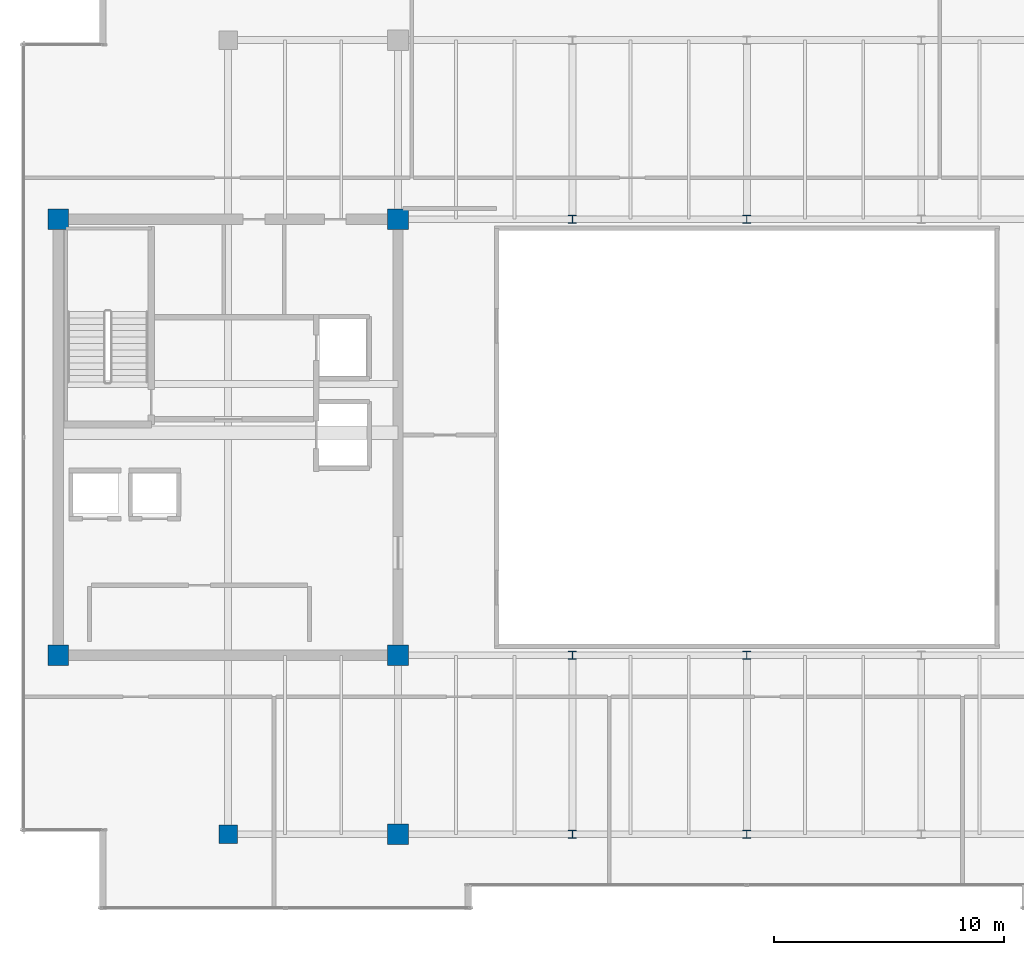
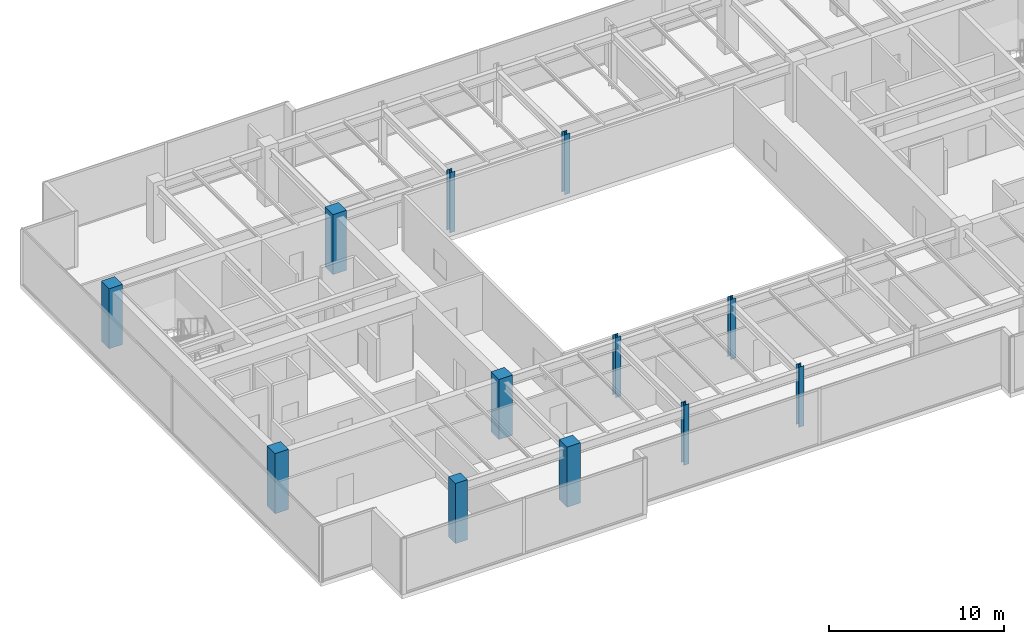
# One storey, part 1 of 31: 12 columns.
"""IFC4 building model written with IfcOpenShell, lengths in metres."""

from ifc_helpers import new_model, si_unit, direction, frame, origin, origin_2d, place, context, subcontext, project, spatial, rectangle, i_section, extrude, source, transform, mapped, material, material_profile, profile_set, type_object, type_shapes, element, save


model = new_model("IFC4")

# Units and contexts
model_context = context("Model", 3, precision=1e-05, world=origin(), true_north=direction((0.0, 1.0)))
body_context = subcontext(model_context, "Body", "Model", "MODEL_VIEW")
ifc_project = project(units=[si_unit("LENGTHUNIT", "METRE"), si_unit("AREAUNIT", "SQUARE_METRE"), si_unit("VOLUMEUNIT", "CUBIC_METRE"), si_unit("PLANEANGLEUNIT", "RADIAN"), si_unit("MASSUNIT", "GRAM", prefix="KILO")], contexts=[model_context])

# Site, building, storey
site_placement = place(None, origin())
site = spatial("IfcSite", under=ifc_project, at=site_placement, CompositionType="ELEMENT")
building_placement = place(site_placement, origin())
building = spatial("IfcBuilding", under=site, at=building_placement, Name="Haelvirn Gate Laboratories", CompositionType="ELEMENT")
storey_placement = place(building_placement, frame((0.0, 0.0, 318.60009765625)))
storey = spatial("IfcBuildingStorey", under=building, at=storey_placement, Name="L76", CompositionType="ELEMENT", Elevation=318.60009765625)

# Columns
ifc_material_1 = material(Name="Concrete C50/60", Category="concrete")
ifc_material_profile_1 = material_profile(ifc_material_1, rectangle(XDim=0.800048828125, YDim=0.800048828125, at=origin_2d()), Name="RC-800x800")
ifc_profile_set_1 = profile_set([ifc_material_profile_1], Name="Concrete C50/60")
column_type_1 = type_object("IfcColumnType", Name="COL-RC-800", PredefinedType="COLUMN", material=ifc_profile_set_1)
shared_shape_1 = source(origin(), body_context, "Body", "SweptSolid", [
    extrude(rectangle(XDim=0.800048828125, YDim=0.800048828125, at=origin_2d()), origin(), (0.0, 0.0, 1.0), 4.199951171875),
])
type_shapes(column_type_1, [shared_shape_1])
column_placement = place(storey_placement, frame((14.800048828125, 7.0, 0.0), z_axis=(0.0, 0.0, 1.0), x_axis=(1.0, 0.0, 0.0)))
element("IfcColumn", 1, at=column_placement, inside=storey, type_object=column_type_1, Name="L76 Column 3B", PredefinedType="COLUMN", context=body_context, shape_type="MappedRepresentation", body=[
    mapped(shared_shape_1, transform((0.0, 0.0, 0.0), scale=1.0)),
])
ifc_material_profile_2 = material_profile(ifc_material_1, rectangle(XDim=0.89990234375, YDim=0.89990234375, at=origin_2d()), Name="RC-900x900")
ifc_profile_set_2 = profile_set([ifc_material_profile_2], Name="Concrete C50/60")
column_type_2 = type_object("IfcColumnType", Name="COL-RC-900", PredefinedType="COLUMN", material=ifc_profile_set_2)
shared_shape_2 = source(origin(), body_context, "Body", "SweptSolid", [
    extrude(rectangle(XDim=0.89990234375, YDim=0.89990234375, at=origin_2d()), origin(), (0.0, 0.0, 1.0), 4.199951171875),
])
type_shapes(column_type_2, [shared_shape_2])
for number, where, z_axis, x_axis, name in (
    (2, (22.199951171875, 7.0, 0.0), (0.0, 0.0, 1.0), (1.0, 0.0, 0.0), "L76 Column 4B"),
    (3, (7.39990234375, 14.800048828125, 0.0), (0.0, 0.0, 1.0), (1.0, 0.0, 0.0), "L76 Column 2C"),
    (4, (22.199951171875, 14.800048828125, 0.0), (0.0, 0.0, 1.0), (1.0, 0.0, 0.0), "L76 Column 4C"),
    (5, (7.39990234375, 33.800048828125, 0.0), (0.0, 0.0, 1.0), (1.0, 0.0, 0.0), "L76 Column 2F"),
    (6, (22.199951171875, 33.800048828125, 0.0), (0.0, 0.0, 1.0), (1.0, 0.0, 0.0), "L76 Column 4F"),
):
    element("IfcColumn", number, at=place(storey_placement, frame(where, z_axis=z_axis, x_axis=x_axis)), inside=storey, type_object=column_type_2, Name=name, PredefinedType="COLUMN", context=body_context, shape_type="MappedRepresentation", body=[
        mapped(shared_shape_2, transform((0.0, 0.0, 0.0), scale=1.0)),
    ])
ifc_material_2 = material(Name="Steel SM355", Category="steel")
ifc_material_profile_3 = material_profile(ifc_material_2, i_section(OverallWidth=0.35009765625, OverallDepth=0.35009765625, WebThickness=0.011962890625, FlangeThickness=0.01904296875, at=origin_2d()), Name="H-350x350x12x19")
ifc_profile_set_3 = profile_set([ifc_material_profile_3], Name="Steel SM355")
column_type_3 = type_object("IfcColumnType", Name="COL-H-350", PredefinedType="COLUMN", material=ifc_profile_set_3)
shared_shape_3 = source(origin(), body_context, "Body", "SweptSolid", [
    extrude(i_section(OverallWidth=0.35009765625, OverallDepth=0.35009765625, WebThickness=0.011962890625, FlangeThickness=0.01904296875, at=origin_2d()), origin(), (0.0, 0.0, 1.0), 4.199951171875),
])
type_shapes(column_type_3, [shared_shape_3])
for number, where, z_axis, x_axis, name in (
    (7, (29.800048828125, 7.0, 0.0), (0.0, 0.0, 1.0), (1.0, 0.0, 0.0), "L76 Column 5B"),
    (8, (29.800048828125, 14.800048828125, 0.0), (0.0, 0.0, 1.0), (1.0, 0.0, 0.0), "L76 Column 5C"),
    (9, (29.800048828125, 33.800048828125, 0.0), (0.0, 0.0, 1.0), (1.0, 0.0, 0.0), "L76 Column 5F"),
    (10, (37.39990234375, 7.0, 0.0), (0.0, 0.0, 1.0), (1.0, 0.0, 0.0), "L76 Column 6B"),
    (11, (37.39990234375, 14.800048828125, 0.0), (0.0, 0.0, 1.0), (1.0, 0.0, 0.0), "L76 Column 6C"),
    (12, (37.39990234375, 33.800048828125, 0.0), (0.0, 0.0, 1.0), (1.0, 0.0, 0.0), "L76 Column 6F"),
):
    element("IfcColumn", number, at=place(storey_placement, frame(where, z_axis=z_axis, x_axis=x_axis)), inside=storey, type_object=column_type_3, Name=name, PredefinedType="COLUMN", context=body_context, shape_type="MappedRepresentation", body=[
        mapped(shared_shape_3, transform((0.0, 0.0, 0.0), scale=1.0)),
    ])

save(model, "model.ifc")
